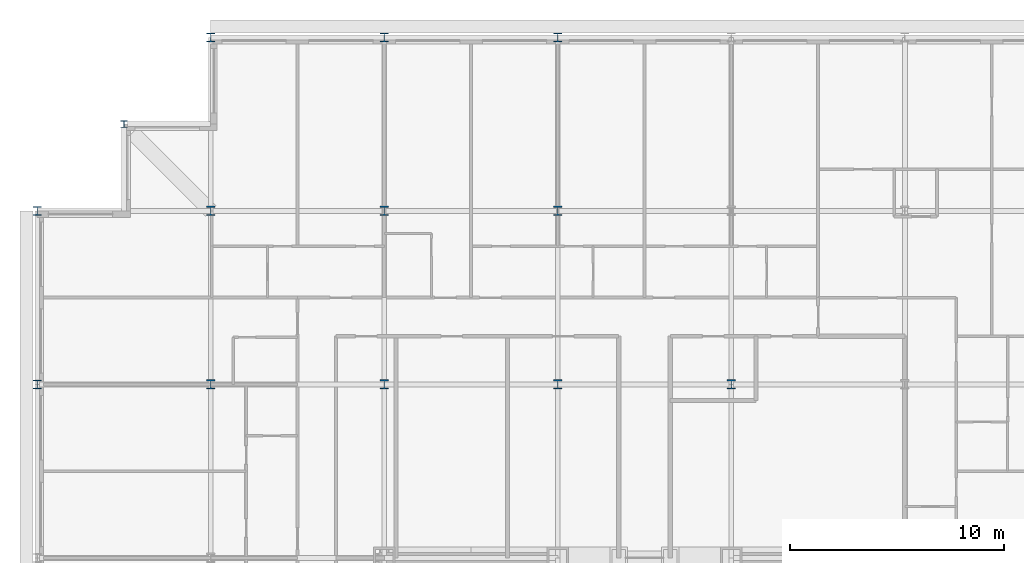
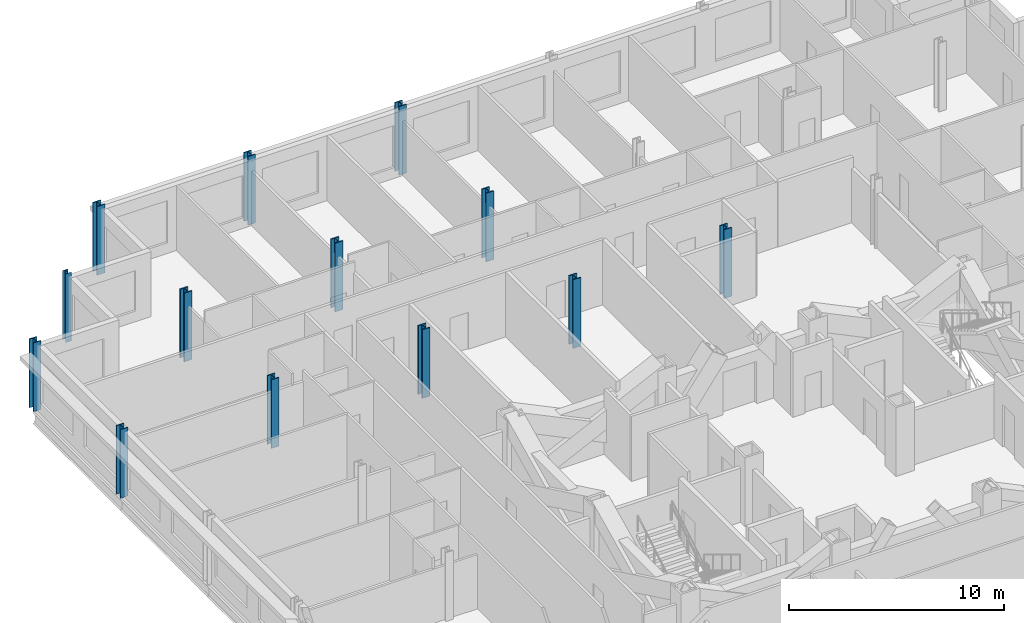
# One storey, part 3 of 15: 13 columns.
"""IFC4 building model written with IfcOpenShell, lengths in metres."""

import ifcopenshell
import ifcopenshell.guid

model = None  # the IFC model being written
_history = None  # IfcOwnerHistory: only IFC2X3 demands one
_inside = {}  # id of a spatial element -> (the spatial element, [elements in it])
_under = {}  # id of a project, library or spatial element -> (it, [spatial elements below it])
_declared = {}  # id of a project -> (the project, [libraries it declares])
_typed = {}  # id of a type object -> (the type object, [elements of that type])
_made_of = {}  # id of a material, layer set ... -> (it, [elements and type objects made of it])


def new_model(schema):
    """Start an empty IFC model of exactly this schema.

    Asked for "IFC4X3", IfcOpenShell would pick the latest addendum, in which some entities
    have other attributes; the version numbers below select the first issue.
    IFC2X3 requires an IfcOwnerHistory on every rooted entity: one is made here for all.
    """
    global model, _history
    if schema == "IFC4X3":
        model = ifcopenshell.file(schema_version=(4, 3, 0, 0))
    else:
        model = ifcopenshell.file(schema=schema)
    _inside.clear()
    _under.clear()
    _declared.clear()
    _typed.clear()
    _made_of.clear()
    _history = None
    if model.schema == "IFC2X3":
        org = make("IfcOrganization", Name="unknown")
        user = make(
            "IfcPersonAndOrganization",
            ThePerson=make("IfcPerson", FamilyName="unknown"),
            TheOrganization=org,
        )
        app = make(
            "IfcApplication",
            ApplicationDeveloper=org,
            Version="unknown",
            ApplicationFullName="unknown",
            ApplicationIdentifier="unknown",
        )
        _history = make(
            "IfcOwnerHistory",
            OwningUser=user,
            OwningApplication=app,
            ChangeAction="ADDED",
            CreationDate=0,
        )
    return model


def make(cls, **values):
    """One entity of the class cls with the attributes given. An attribute that is None is left unset."""
    return model.create_entity(
        cls, **{name: value for name, value in values.items() if value is not None}
    )


def rooted(cls, **values):
    """An entity with a GlobalId (a new one), such as an element, a storey or a relation."""
    return make(cls, GlobalId=ifcopenshell.guid.new(), OwnerHistory=_history, **values)


def si_unit(unit_type, name, prefix=None):
    """IfcSIUnit, for example si_unit("LENGTHUNIT", "METRE", prefix="MILLI")."""
    return make("IfcSIUnit", UnitType=unit_type, Prefix=prefix, Name=name)


def assignment(units):
    """IfcUnitAssignment: the units of a project."""
    return None if units is None else make("IfcUnitAssignment", Units=units)


def point(xyz):
    """IfcCartesianPoint."""
    return None if xyz is None else make("IfcCartesianPoint", Coordinates=xyz)


def direction(xyz):
    """IfcDirection."""
    return None if xyz is None else make("IfcDirection", DirectionRatios=xyz)


def frame(location, z_axis=None, x_axis=None):
    """IfcAxis2Placement3D, a coordinate frame: its origin and axes. An axis left out is left unset."""
    return make(
        "IfcAxis2Placement3D",
        Location=point(location),
        Axis=direction(z_axis),
        RefDirection=direction(x_axis),
    )


def frame_2d(location, x_axis=None):
    """IfcAxis2Placement2D, a coordinate frame in the plane: its origin and x axis."""
    return make(
        "IfcAxis2Placement2D", Location=point(location), RefDirection=direction(x_axis)
    )


def origin():
    """The frame at (0, 0, 0) with its axes left unset."""
    return frame((0.0, 0.0, 0.0))


def origin_2d():
    """The frame at (0, 0) in the plane with its x axis left unset."""
    return frame_2d((0.0, 0.0))


def place(relative_to, where):
    """IfcLocalPlacement: puts the frame where relative to a parent placement (None: the world)."""
    return make(
        "IfcLocalPlacement", PlacementRelTo=relative_to, RelativePlacement=where
    )


def context(
    kind, dimensions, precision=None, world=None, true_north=None, identifier=None
):
    """IfcGeometricRepresentationContext, for example the 3D "Model" context."""
    return make(
        "IfcGeometricRepresentationContext",
        ContextIdentifier=identifier,
        ContextType=kind,
        CoordinateSpaceDimension=dimensions,
        Precision=precision,
        WorldCoordinateSystem=world,
        TrueNorth=true_north,
    )


def subcontext(parent, identifier, kind, view, scale=None):
    """IfcGeometricRepresentationSubContext, for example "Body" below "Model"."""
    return make(
        "IfcGeometricRepresentationSubContext",
        ContextIdentifier=identifier,
        ContextType=kind,
        ParentContext=parent,
        TargetScale=scale,
        TargetView=view,
    )


def project(units=None, contexts=None):
    """IfcProject with its units and contexts."""
    return rooted(
        "IfcProject",
        Name="project",
        RepresentationContexts=contexts,
        UnitsInContext=assignment(units),
    )


def spatial(cls, under=None, at=None, **own):
    """A site, building, storey or space (cls), placed at a placement, below another one or the project."""
    s = rooted(cls, ObjectPlacement=at, **own)
    if under is not None:
        _under.setdefault(under.id(), (under, []))[1].append(s)
    return s


def profile(cls, at=None, kind="AREA", **sizes):
    """A parametric profile (cls). Its sizes go by their IFC names, for example OverallWidth=200.0."""
    return make(cls, ProfileType=kind, Position=at, **sizes)


def i_section(**sizes):
    """IfcIShapeProfileDef."""
    return profile("IfcIShapeProfileDef", **sizes)


def extrude(swept, where, along, depth):
    """IfcExtrudedAreaSolid: the profile swept, set in the frame where, extruded along a direction by depth."""
    return make(
        "IfcExtrudedAreaSolid",
        SweptArea=swept,
        Position=where,
        ExtrudedDirection=direction(along),
        Depth=depth,
    )


def shape(context_of_items, identifier, shape_type, items):
    """IfcShapeRepresentation: the items that make up one representation, for example the "Body"."""
    return make(
        "IfcShapeRepresentation",
        ContextOfItems=context_of_items,
        RepresentationIdentifier=identifier,
        RepresentationType=shape_type,
        Items=items,
    )


def material(Name=None, Category=None):
    """IfcMaterial."""
    return make("IfcMaterial", Name=Name, Category=Category)


def material_profile(
    of_material, cross_section, Name=None, Category=None, Priority=None
):
    """IfcMaterialProfile: a cross section and its material."""
    return make(
        "IfcMaterialProfile",
        Name=Name,
        Material=of_material,
        Profile=cross_section,
        Priority=Priority,
        Category=Category,
    )


def profile_set(profiles, Name=None, composite=None):
    """IfcMaterialProfileSet."""
    return make(
        "IfcMaterialProfileSet",
        Name=Name,
        MaterialProfiles=profiles,
        CompositeProfile=composite,
    )


def made_of(thing, what):
    """Note that an element or type object is made of a material, layer set ...; save() writes the relation."""
    if what is not None:
        _made_of.setdefault(what.id(), (what, []))[1].append(thing)
    return thing


def type_object(cls, material=None, **own):
    """A type object (cls), such as IfcWallType, which elements share."""
    return made_of(rooted(cls, **own), material)


def element(
    cls,
    number,
    at=None,
    inside=None,
    cuts=None,
    type_object=None,
    material=None,
    context=None,
    identifier="Body",
    shape_type=None,
    held_by="IfcProductDefinitionShape",
    body=None,
    shapes=None,
    **own,
):
    """One element of the class cls, such as IfcWall. Its Tag is "e" and its number.

    at: its placement. inside: the storey or other place that contains it. cuts: it is an
    opening in that element (IfcRelVoidsElement). A single representation is given by context,
    identifier, shape_type and body (its items); several are given by shapes. held_by: the class
    of the entity that holds the representations. save() writes the other relations.
    """
    e = rooted(cls, Tag="e%d" % number, ObjectPlacement=at, **own)
    if body is not None:
        shapes = [shape(context, identifier, shape_type, body)]
    if shapes is not None:
        e.Representation = make(held_by, Representations=shapes)
    if inside is not None:
        _inside.setdefault(inside.id(), (inside, []))[1].append(e)
    if cuts is not None:
        rooted(
            "IfcRelVoidsElement", RelatingBuildingElement=cuts, RelatedOpeningElement=e
        )
    if type_object is not None:
        _typed.setdefault(type_object.id(), (type_object, []))[1].append(e)
    return made_of(e, material)


def aggregate(whole, parts):
    """IfcRelAggregates: a whole, such as a stair, and the parts it consists of."""
    return rooted("IfcRelAggregates", RelatingObject=whole, RelatedObjects=parts)


def save(model, path):
    """Write the relations noted so far, then the file.

    IfcRelAggregates (storeys below a building ...), IfcRelContainedInSpatialStructure (elements
    in a storey), IfcRelDefinesByType, IfcRelAssociatesMaterial and IfcRelDeclares: one each for
    every whole, place, type object, material and project.
    """
    for whole, parts in _under.values():
        aggregate(whole, parts)
    for where, things in _inside.values():
        rooted(
            "IfcRelContainedInSpatialStructure",
            RelatedElements=things,
            RelatingStructure=where,
        )
    for kind, things in _typed.values():
        rooted("IfcRelDefinesByType", RelatedObjects=things, RelatingType=kind)
    for what, things in _made_of.values():
        rooted("IfcRelAssociatesMaterial", RelatedObjects=things, RelatingMaterial=what)
    for by, libraries in _declared.values():
        rooted("IfcRelDeclares", RelatingContext=by, RelatedDefinitions=libraries)
    model.write(path)


model = new_model("IFC4")

# Units and contexts
model_context = context("Model", 3, precision=1e-05, world=origin(), true_north=direction((0.0, 1.0)))
body_context = subcontext(model_context, "Body", "Model", "MODEL_VIEW")
ifc_project = project(units=[si_unit("LENGTHUNIT", "METRE"), si_unit("AREAUNIT", "SQUARE_METRE"), si_unit("VOLUMEUNIT", "CUBIC_METRE"), si_unit("PLANEANGLEUNIT", "RADIAN"), si_unit("MASSUNIT", "GRAM", prefix="KILO")], contexts=[model_context])

# Site, building, storey
site_placement = place(None, origin())
site = spatial("IfcSite", under=ifc_project, at=site_placement, CompositionType="ELEMENT")
building_placement = place(site_placement, origin())
building = spatial("IfcBuilding", under=site, at=building_placement, Name="Kopane Lantern Tower", CompositionType="ELEMENT")
storey_placement = place(building_placement, frame((0.0, 0.0, 269.699951171875)))
storey = spatial("IfcBuildingStorey", under=building, at=storey_placement, Name="L69", CompositionType="ELEMENT", Elevation=269.699951171875)

# Columns
ifc_material_1 = material(Name="Steel S355JR", Category="steel")
ifc_material_profile_1 = material_profile(ifc_material_1, i_section(OverallWidth=0.307373046875, OverallDepth=0.314453125, WebThickness=0.011962890625, FlangeThickness=0.018798828125, FilletRadius=0.01513671875, at=origin_2d()), Name="UC 305x305x118")
ifc_profile_set_1 = profile_set([ifc_material_profile_1], Name="Steel S355JR")
column_type_1 = type_object("IfcColumnType", Name="COLUMN UC 305x305x118", PredefinedType="COLUMN", material=ifc_profile_set_1)
column_placement = place(storey_placement, frame((4.050048828125, 60.75, 0.0), z_axis=(0.0, 0.0, 1.0), x_axis=(1.0, 0.0, 0.0)))
element("IfcColumn", 1, at=column_placement, inside=storey, type_object=column_type_1, Name="Column 4.05/60.75 L69", PredefinedType="COLUMN", context=body_context, shape_type="SweptSolid", body=[
    extrude(i_section(OverallWidth=0.307373046875, OverallDepth=0.314453125, WebThickness=0.011962890625, FlangeThickness=0.018798828125, FilletRadius=0.01513671875, at=origin_2d()), origin(), (0.0, 0.0, 1.0), 3.900146484375),
])
ifc_material_2 = material(Name="Steel S355JR", Category="steel")
ifc_material_profile_2 = material_profile(ifc_material_2, i_section(OverallWidth=0.406982421875, OverallDepth=0.4189453125, WebThickness=0.030517578125, FlangeThickness=0.04931640625, FilletRadius=0.01513671875, at=origin_2d()), Name="UC 356x406x393")
ifc_profile_set_2 = profile_set([ifc_material_profile_2], Name="Steel S355JR")
column_type_2 = type_object("IfcColumnType", Name="COLUMN UC 356x406x393", PredefinedType="COLUMN", material=ifc_profile_set_2)
for number, where, z_axis, x_axis, name in (
    (2, (0.0, 48.60009765625, 0.0), (0.0, 0.0, 1.0), (1.0, 0.0, 0.0), "Column 2/H L69"),
    (3, (0.0, 56.699951171875, 0.0), (0.0, 0.0, 1.0), (1.0, 0.0, 0.0), "Column 2/J L69"),
    (4, (8.10009765625, 64.800048828125, 0.0), (0.0, 0.0, 1.0), (1.0, 0.0, 0.0), "Column 3/K L69"),
    (5, (16.199951171875, 64.800048828125, 0.0), (0.0, 0.0, 1.0), (1.0, 0.0, 0.0), "Column 4/K L69"),
    (6, (24.300048828125, 64.800048828125, 0.0), (0.0, 0.0, 1.0), (1.0, 0.0, 0.0), "Column 5/K L69"),
):
    element("IfcColumn", number, at=place(storey_placement, frame(where, z_axis=z_axis, x_axis=x_axis)), inside=storey, type_object=column_type_2, Name=name, PredefinedType="COLUMN", context=body_context, shape_type="SweptSolid", body=[
        extrude(i_section(OverallWidth=0.406982421875, OverallDepth=0.4189453125, WebThickness=0.030517578125, FlangeThickness=0.04931640625, FilletRadius=0.01513671875, at=origin_2d()), origin(), (0.0, 0.0, 1.0), 3.900146484375),
    ])
ifc_material_3 = material(Name="Steel S355JR", Category="steel")
ifc_material_profile_3 = material_profile(ifc_material_3, i_section(OverallWidth=0.412109375, OverallDepth=0.4365234375, WebThickness=0.035888671875, FlangeThickness=0.05810546875, FilletRadius=0.01513671875, at=origin_2d()), Name="UC 356x406x467")
ifc_profile_set_3 = profile_set([ifc_material_profile_3], Name="Steel S355JR")
column_type_3 = type_object("IfcColumnType", Name="COLUMN UC 356x406x467", PredefinedType="COLUMN", material=ifc_profile_set_3)
for number, where, z_axis, x_axis, name in (
    (7, (8.10009765625, 48.60009765625, 0.0), (0.0, 0.0, 1.0), (1.0, 0.0, 0.0), "Column 3/H L69"),
    (8, (8.10009765625, 56.699951171875, 0.0), (0.0, 0.0, 1.0), (1.0, 0.0, 0.0), "Column 3/J L69"),
    (9, (16.199951171875, 48.60009765625, 0.0), (0.0, 0.0, 1.0), (1.0, 0.0, 0.0), "Column 4/H L69"),
    (10, (16.199951171875, 56.699951171875, 0.0), (0.0, 0.0, 1.0), (1.0, 0.0, 0.0), "Column 4/J L69"),
    (11, (24.300048828125, 48.60009765625, 0.0), (0.0, 0.0, 1.0), (1.0, 0.0, 0.0), "Column 5/H L69"),
    (12, (24.300048828125, 56.699951171875, 0.0), (0.0, 0.0, 1.0), (1.0, 0.0, 0.0), "Column 5/J L69"),
    (13, (32.39990234375, 48.60009765625, 0.0), (0.0, 0.0, 1.0), (1.0, 0.0, 0.0), "Column 6/H L69"),
):
    element("IfcColumn", number, at=place(storey_placement, frame(where, z_axis=z_axis, x_axis=x_axis)), inside=storey, type_object=column_type_3, Name=name, PredefinedType="COLUMN", context=body_context, shape_type="SweptSolid", body=[
        extrude(i_section(OverallWidth=0.412109375, OverallDepth=0.4365234375, WebThickness=0.035888671875, FlangeThickness=0.05810546875, FilletRadius=0.01513671875, at=origin_2d()), origin(), (0.0, 0.0, 1.0), 3.900146484375),
    ])

save(model, "model.ifc")
